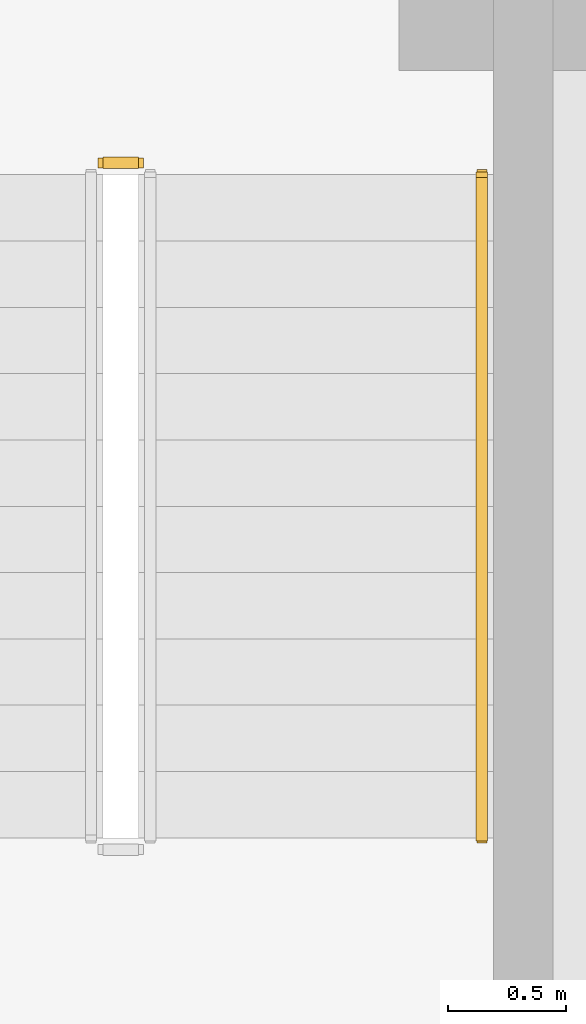
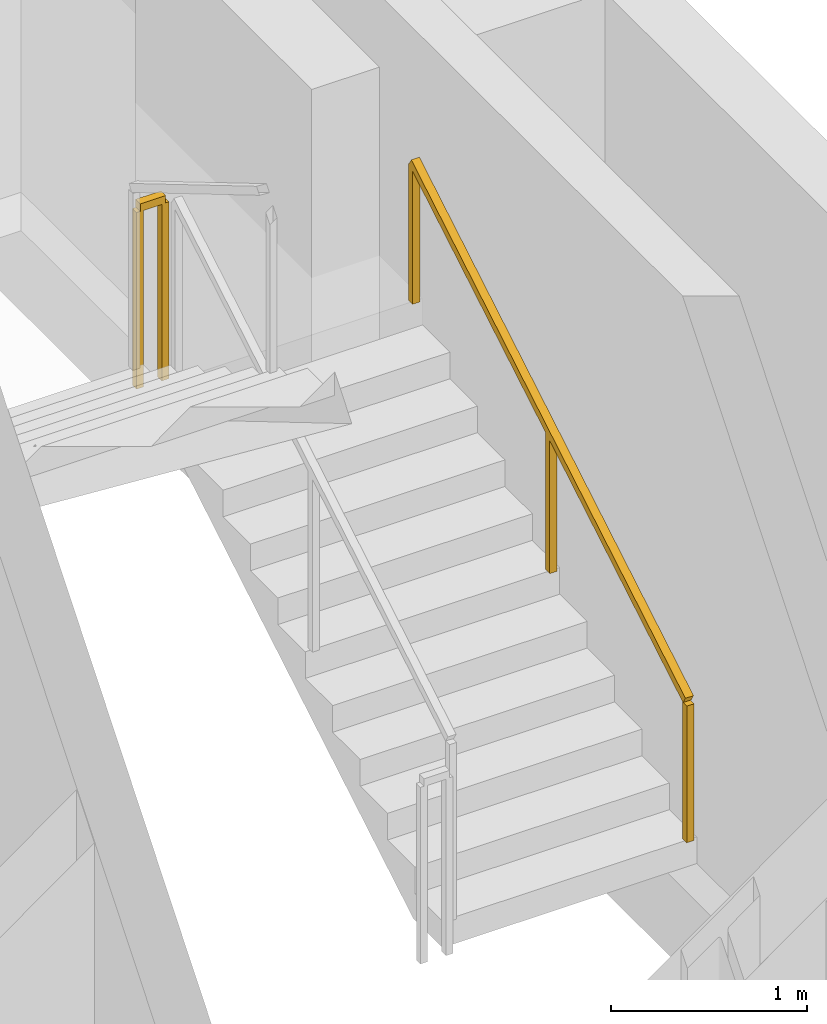
# One storey, part 13 of 13: 2 railings.
"""IFC4 building model written with IfcOpenShell, lengths in metres."""

import ifcopenshell
import ifcopenshell.guid

model = None  # the IFC model being written
_history = None  # IfcOwnerHistory: only IFC2X3 demands one
_inside = {}  # id of a spatial element -> (the spatial element, [elements in it])
_under = {}  # id of a project, library or spatial element -> (it, [spatial elements below it])
_declared = {}  # id of a project -> (the project, [libraries it declares])
_typed = {}  # id of a type object -> (the type object, [elements of that type])
_made_of = {}  # id of a material, layer set ... -> (it, [elements and type objects made of it])


def new_model(schema):
    """Start an empty IFC model of exactly this schema.

    Asked for "IFC4X3", IfcOpenShell would pick the latest addendum, in which some entities
    have other attributes; the version numbers below select the first issue.
    IFC2X3 requires an IfcOwnerHistory on every rooted entity: one is made here for all.
    """
    global model, _history
    if schema == "IFC4X3":
        model = ifcopenshell.file(schema_version=(4, 3, 0, 0))
    else:
        model = ifcopenshell.file(schema=schema)
    _inside.clear()
    _under.clear()
    _declared.clear()
    _typed.clear()
    _made_of.clear()
    _history = None
    if model.schema == "IFC2X3":
        org = make("IfcOrganization", Name="unknown")
        user = make(
            "IfcPersonAndOrganization",
            ThePerson=make("IfcPerson", FamilyName="unknown"),
            TheOrganization=org,
        )
        app = make(
            "IfcApplication",
            ApplicationDeveloper=org,
            Version="unknown",
            ApplicationFullName="unknown",
            ApplicationIdentifier="unknown",
        )
        _history = make(
            "IfcOwnerHistory",
            OwningUser=user,
            OwningApplication=app,
            ChangeAction="ADDED",
            CreationDate=0,
        )
    return model


def make(cls, **values):
    """One entity of the class cls with the attributes given. An attribute that is None is left unset."""
    return model.create_entity(
        cls, **{name: value for name, value in values.items() if value is not None}
    )


def rooted(cls, **values):
    """An entity with a GlobalId (a new one), such as an element, a storey or a relation."""
    return make(cls, GlobalId=ifcopenshell.guid.new(), OwnerHistory=_history, **values)


def si_unit(unit_type, name, prefix=None):
    """IfcSIUnit, for example si_unit("LENGTHUNIT", "METRE", prefix="MILLI")."""
    return make("IfcSIUnit", UnitType=unit_type, Prefix=prefix, Name=name)


def assignment(units):
    """IfcUnitAssignment: the units of a project."""
    return None if units is None else make("IfcUnitAssignment", Units=units)


def point(xyz):
    """IfcCartesianPoint."""
    return None if xyz is None else make("IfcCartesianPoint", Coordinates=xyz)


def direction(xyz):
    """IfcDirection."""
    return None if xyz is None else make("IfcDirection", DirectionRatios=xyz)


def frame(location, z_axis=None, x_axis=None):
    """IfcAxis2Placement3D, a coordinate frame: its origin and axes. An axis left out is left unset."""
    return make(
        "IfcAxis2Placement3D",
        Location=point(location),
        Axis=direction(z_axis),
        RefDirection=direction(x_axis),
    )


def frame_2d(location, x_axis=None):
    """IfcAxis2Placement2D, a coordinate frame in the plane: its origin and x axis."""
    return make(
        "IfcAxis2Placement2D", Location=point(location), RefDirection=direction(x_axis)
    )


def origin():
    """The frame at (0, 0, 0) with its axes left unset."""
    return frame((0.0, 0.0, 0.0))


def origin_2d():
    """The frame at (0, 0) in the plane with its x axis left unset."""
    return frame_2d((0.0, 0.0))


def place(relative_to, where):
    """IfcLocalPlacement: puts the frame where relative to a parent placement (None: the world)."""
    return make(
        "IfcLocalPlacement", PlacementRelTo=relative_to, RelativePlacement=where
    )


def context(
    kind, dimensions, precision=None, world=None, true_north=None, identifier=None
):
    """IfcGeometricRepresentationContext, for example the 3D "Model" context."""
    return make(
        "IfcGeometricRepresentationContext",
        ContextIdentifier=identifier,
        ContextType=kind,
        CoordinateSpaceDimension=dimensions,
        Precision=precision,
        WorldCoordinateSystem=world,
        TrueNorth=true_north,
    )


def subcontext(parent, identifier, kind, view, scale=None):
    """IfcGeometricRepresentationSubContext, for example "Body" below "Model"."""
    return make(
        "IfcGeometricRepresentationSubContext",
        ContextIdentifier=identifier,
        ContextType=kind,
        ParentContext=parent,
        TargetScale=scale,
        TargetView=view,
    )


def project(units=None, contexts=None):
    """IfcProject with its units and contexts."""
    return rooted(
        "IfcProject",
        Name="project",
        RepresentationContexts=contexts,
        UnitsInContext=assignment(units),
    )


def spatial(cls, under=None, at=None, **own):
    """A site, building, storey or space (cls), placed at a placement, below another one or the project."""
    s = rooted(cls, ObjectPlacement=at, **own)
    if under is not None:
        _under.setdefault(under.id(), (under, []))[1].append(s)
    return s


def profile(cls, at=None, kind="AREA", **sizes):
    """A parametric profile (cls). Its sizes go by their IFC names, for example OverallWidth=200.0."""
    return make(cls, ProfileType=kind, Position=at, **sizes)


def rectangle(**sizes):
    """IfcRectangleProfileDef."""
    return profile("IfcRectangleProfileDef", **sizes)


def extrude(swept, where, along, depth):
    """IfcExtrudedAreaSolid: the profile swept, set in the frame where, extruded along a direction by depth."""
    return make(
        "IfcExtrudedAreaSolid",
        SweptArea=swept,
        Position=where,
        ExtrudedDirection=direction(along),
        Depth=depth,
    )


def shape(context_of_items, identifier, shape_type, items):
    """IfcShapeRepresentation: the items that make up one representation, for example the "Body"."""
    return make(
        "IfcShapeRepresentation",
        ContextOfItems=context_of_items,
        RepresentationIdentifier=identifier,
        RepresentationType=shape_type,
        Items=items,
    )


def source(mapping_origin, context_of_items, identifier, shape_type, items):
    """IfcRepresentationMap: a shape defined once, which mapped items show again and again."""
    return make(
        "IfcRepresentationMap",
        MappingOrigin=mapping_origin,
        MappedRepresentation=shape(context_of_items, identifier, shape_type, items),
    )


def transform(
    local_origin,
    x_axis=None,
    y_axis=None,
    z_axis=None,
    scale=None,
    scale2=None,
    scale3=None,
    uniform=True,
):
    """IfcCartesianTransformationOperator3D, or its non-uniform kind. x_axis, y_axis, z_axis: its Axis1, 2, 3."""
    if uniform:
        return make(
            "IfcCartesianTransformationOperator3D",
            Axis1=direction(x_axis),
            Axis2=direction(y_axis),
            LocalOrigin=point(local_origin),
            Scale=scale,
            Axis3=direction(z_axis),
        )
    return make(
        "IfcCartesianTransformationOperator3DnonUniform",
        Axis1=direction(x_axis),
        Axis2=direction(y_axis),
        LocalOrigin=point(local_origin),
        Scale=scale,
        Axis3=direction(z_axis),
        Scale2=scale2,
        Scale3=scale3,
    )


def mapped(mapping_source, mapping_target):
    """IfcMappedItem: shows the shape of a source again, moved by a transform."""
    return make(
        "IfcMappedItem", MappingSource=mapping_source, MappingTarget=mapping_target
    )


def material(Name=None, Category=None):
    """IfcMaterial."""
    return make("IfcMaterial", Name=Name, Category=Category)


def made_of(thing, what):
    """Note that an element or type object is made of a material, layer set ...; save() writes the relation."""
    if what is not None:
        _made_of.setdefault(what.id(), (what, []))[1].append(thing)
    return thing


def type_object(cls, material=None, **own):
    """A type object (cls), such as IfcWallType, which elements share."""
    return made_of(rooted(cls, **own), material)


def element(
    cls,
    number,
    at=None,
    inside=None,
    cuts=None,
    type_object=None,
    material=None,
    context=None,
    identifier="Body",
    shape_type=None,
    held_by="IfcProductDefinitionShape",
    body=None,
    shapes=None,
    **own,
):
    """One element of the class cls, such as IfcWall. Its Tag is "e" and its number.

    at: its placement. inside: the storey or other place that contains it. cuts: it is an
    opening in that element (IfcRelVoidsElement). A single representation is given by context,
    identifier, shape_type and body (its items); several are given by shapes. held_by: the class
    of the entity that holds the representations. save() writes the other relations.
    """
    e = rooted(cls, Tag="e%d" % number, ObjectPlacement=at, **own)
    if body is not None:
        shapes = [shape(context, identifier, shape_type, body)]
    if shapes is not None:
        e.Representation = make(held_by, Representations=shapes)
    if inside is not None:
        _inside.setdefault(inside.id(), (inside, []))[1].append(e)
    if cuts is not None:
        rooted(
            "IfcRelVoidsElement", RelatingBuildingElement=cuts, RelatedOpeningElement=e
        )
    if type_object is not None:
        _typed.setdefault(type_object.id(), (type_object, []))[1].append(e)
    return made_of(e, material)


def aggregate(whole, parts):
    """IfcRelAggregates: a whole, such as a stair, and the parts it consists of."""
    return rooted("IfcRelAggregates", RelatingObject=whole, RelatedObjects=parts)


def save(model, path):
    """Write the relations noted so far, then the file.

    IfcRelAggregates (storeys below a building ...), IfcRelContainedInSpatialStructure (elements
    in a storey), IfcRelDefinesByType, IfcRelAssociatesMaterial and IfcRelDeclares: one each for
    every whole, place, type object, material and project.
    """
    for whole, parts in _under.values():
        aggregate(whole, parts)
    for where, things in _inside.values():
        rooted(
            "IfcRelContainedInSpatialStructure",
            RelatedElements=things,
            RelatingStructure=where,
        )
    for kind, things in _typed.values():
        rooted("IfcRelDefinesByType", RelatedObjects=things, RelatingType=kind)
    for what, things in _made_of.values():
        rooted("IfcRelAssociatesMaterial", RelatedObjects=things, RelatingMaterial=what)
    for by, libraries in _declared.values():
        rooted("IfcRelDeclares", RelatingContext=by, RelatedDefinitions=libraries)
    model.write(path)


model = new_model("IFC4")

# Units and contexts
model_context = context("Model", 3, precision=1e-05, world=origin(), true_north=direction((0.0, 1.0)))
body_context = subcontext(model_context, "Body", "Model", "MODEL_VIEW")
ifc_project = project(units=[si_unit("LENGTHUNIT", "METRE"), si_unit("AREAUNIT", "SQUARE_METRE"), si_unit("VOLUMEUNIT", "CUBIC_METRE"), si_unit("PLANEANGLEUNIT", "RADIAN"), si_unit("MASSUNIT", "GRAM", prefix="KILO")], contexts=[model_context])

# Site, building, storey
site_placement = place(None, origin())
site = spatial("IfcSite", under=ifc_project, at=site_placement, CompositionType="ELEMENT")
building_placement = place(site_placement, origin())
building = spatial("IfcBuilding", under=site, at=building_placement, Name="Vardaveli Station Tower", CompositionType="ELEMENT")
storey_placement = place(building_placement, frame((0.0, 0.0, 89.64990234375)))
storey = spatial("IfcBuildingStorey", under=building, at=storey_placement, Name="L23", CompositionType="ELEMENT", Elevation=89.64990234375)

# Railings
ifc_material = material(Name="Brushed AISI 316 stainless steel", Category="steel")
railing_type_1 = type_object("IfcRailingType", Name="RL-GUARD-1150", PredefinedType="GUARDRAIL", material=ifc_material)
shared_shape_1 = source(origin(), body_context, "Body", "SweptSolid", [
    extrude(rectangle(XDim=0.048095703125, YDim=0.048095703125, at=origin_2d()), frame((0.0, 0.0, 1.1259765625), z_axis=(-1.0, 0.0, 0.0), x_axis=(0.0, -1.0, 0.0)), (0.0, 0.0, 1.0), 0.14990234375),
    extrude(rectangle(XDim=0.0419921875, YDim=0.0419921875, at=origin_2d()), origin(), (0.0, 0.0, 1.0), 1.101806640625),
    extrude(rectangle(XDim=0.0419921875, YDim=0.0419921875, at=origin_2d()), frame((-0.14990234375, 0.0, 0.0)), (0.0, 0.0, 1.0), 1.101806640625),
])
railing_1_placement = place(storey_placement, frame((45.75, 35.25, 1.8251953125)))
element("IfcRailing", 1, at=railing_1_placement, inside=storey, type_object=railing_type_1, Name="L23 ST-3 stair guard 2", PredefinedType="GUARDRAIL", context=body_context, shape_type="MappedRepresentation", body=[
    mapped(shared_shape_1, transform((0.0, 0.0, 0.0), scale=1.0)),
])
railing_type_2 = type_object("IfcRailingType", Name="RL-HAND-900", PredefinedType="HANDRAIL", material=ifc_material)
shared_shape_2 = source(origin(), body_context, "Body", "SweptSolid", [
    extrude(rectangle(XDim=0.048095703125, YDim=0.048095703125, at=origin_2d()), frame((0.0, 0.0, 0.8759765625), z_axis=(0.0, 0.860306154799, 0.50977771628), x_axis=(-1.0, 0.0, 0.0)), (0.0, 0.0, 1.0), 3.254638671875),
    extrude(rectangle(XDim=0.0419921875, YDim=0.0419921875, at=origin_2d()), origin(), (0.0, 0.0, 1.0), 0.851806640625),
    extrude(rectangle(XDim=0.0419921875, YDim=0.0419921875, at=origin_2d()), frame((0.0, 1.39990234375, 0.82958984375)), (0.0, 0.0, 1.0), 0.851806640625),
    extrude(rectangle(XDim=0.0419921875, YDim=0.0419921875, at=origin_2d()), frame((0.0, 2.800048828125, 1.6591796875)), (0.0, 0.0, 1.0), 0.851806640625),
])
railing_2_placement = place(storey_placement, frame((47.199951171875, 32.39990234375, 0.166015625)))
element("IfcRailing", 2, at=railing_2_placement, inside=storey, type_object=railing_type_2, Name="L23 ST-3 stair handrail 1", PredefinedType="HANDRAIL", context=body_context, shape_type="MappedRepresentation", body=[
    mapped(shared_shape_2, transform((0.0, 0.0, 0.0), scale=1.0)),
])

save(model, "model.ifc")
